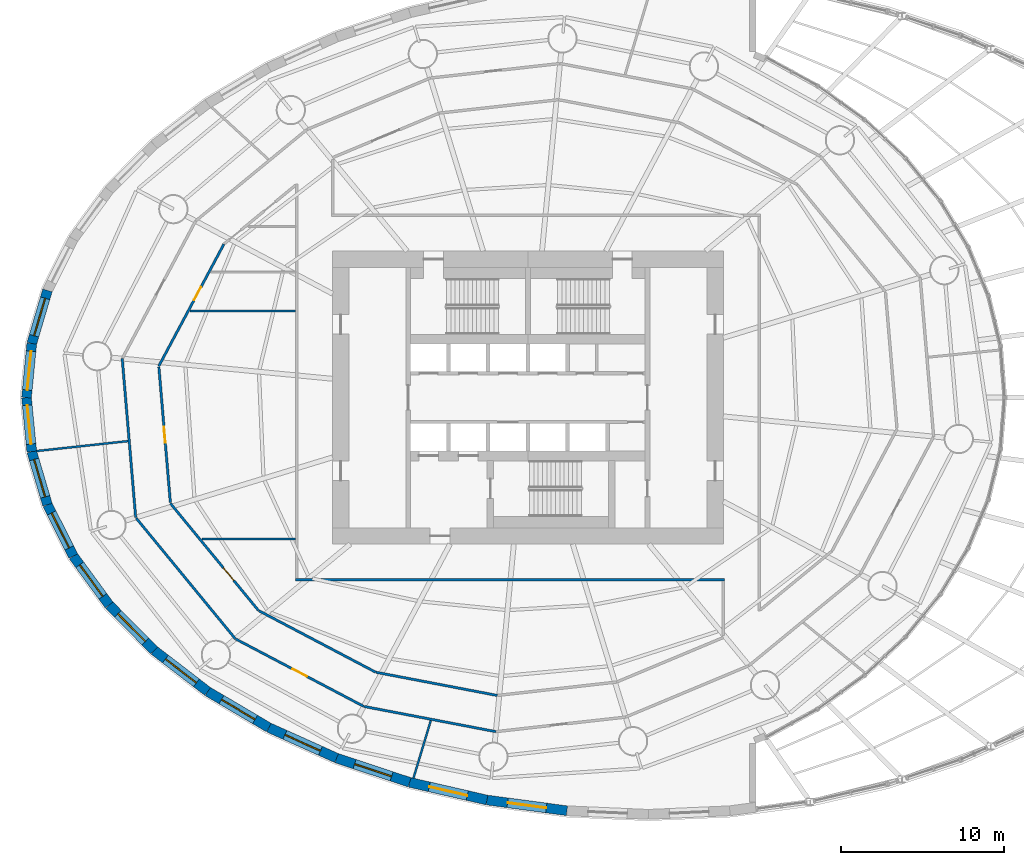
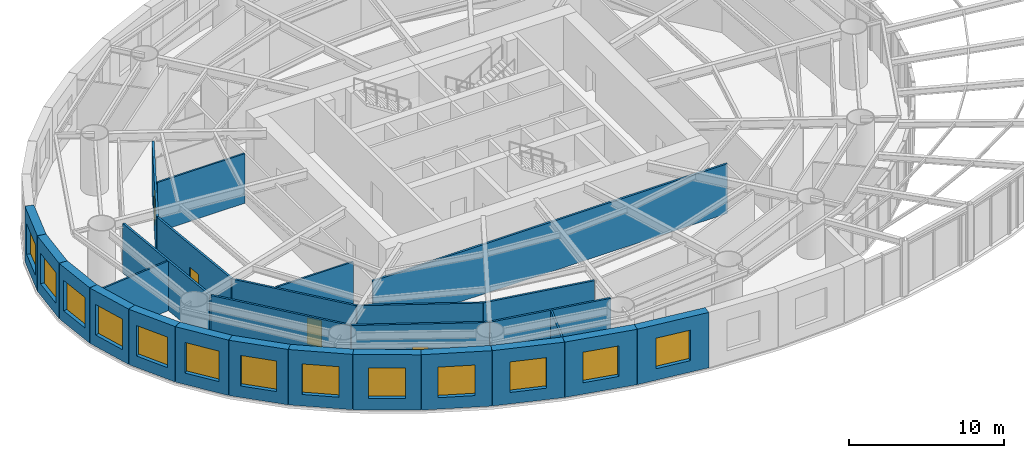
# One storey, part 18 of 23: 27 walls, 13 windows, 4 doors, 17 openings.
"""IFC4 building model written with IfcOpenShell, lengths in metres."""

from ifc_helpers import new_model, si_unit, direction, frame, frame_2d, origin, place, context, subcontext, project, spatial, rectangle, extrude, material, layer, layer_set, type_object, element, fill, save


model = new_model("IFC4")

# Units and contexts
model_context = context("Model", 3, precision=1e-05, world=origin(), true_north=direction((0.0, 1.0)))
body_context = subcontext(model_context, "Body", "Model", "MODEL_VIEW")
ifc_project = project(units=[si_unit("LENGTHUNIT", "METRE"), si_unit("AREAUNIT", "SQUARE_METRE"), si_unit("VOLUMEUNIT", "CUBIC_METRE"), si_unit("PLANEANGLEUNIT", "RADIAN"), si_unit("MASSUNIT", "GRAM", prefix="KILO")], contexts=[model_context])

# Site, building, storey
site_placement = place(None, origin())
site = spatial("IfcSite", under=ifc_project, at=site_placement, CompositionType="ELEMENT")
building_placement = place(site_placement, origin())
building = spatial("IfcBuilding", under=site, at=building_placement, Name="Vermilion Reach Broadcast Tower", CompositionType="ELEMENT")
storey_placement = place(building_placement, frame((0.0, 0.0, 31.5)))
storey = spatial("IfcBuildingStorey", under=building, at=storey_placement, Name="L04", CompositionType="ELEMENT", Elevation=31.5)

# Wall
ifc_material_1 = material(Name="Gypsum board partition")
ifc_layer_1 = layer(ifc_material_1, 0.14990234375)
ifc_layer_set_1 = layer_set([ifc_layer_1], Name="Corridor wall 150")
wall_type_1 = type_object("IfcWallType", Name="Corridor wall 150", PredefinedType="PARTITIONING", material=ifc_layer_set_1)
wall_1_placement = place(storey_placement, frame((-20.27490234375, -11.199951171875, 0.0), z_axis=(0.0, 0.0, 1.0), x_axis=(1.0, 0.0, 0.0)))
element("IfcWall", 1, at=wall_1_placement, inside=storey, type_object=wall_type_1, Name="sp.wall.L04.003", PredefinedType="PARTITIONING", context=body_context, shape_type="SweptSolid", body=[
    extrude(rectangle(XDim=26.35009765625, YDim=0.14990234375, at=frame_2d((13.175048828125, 0.0))), origin(), (0.0, 0.0, 1.0), 3.89990234375),
])

# Wall, opening, door
wall_2_placement = place(storey_placement, frame((-24.676025390625, 9.426513671875, 0.0), z_axis=(0.0, 0.0, 1.0), x_axis=(-0.470743396375, -0.882270171076, 0.0)))
wall_2 = element("IfcWall", 2, at=wall_2_placement, inside=storey, type_object=wall_type_1, Name="sp.wall.L04.017", PredefinedType="PARTITIONING", context=body_context, shape_type="SweptSolid", body=[
    extrude(rectangle(XDim=8.4931640625, YDim=0.14990234375, at=frame_2d((4.24658203125, 0.0))), origin(), (0.0, 0.0, 1.0), 3.89990234375),
])
opening_1_placement = place(wall_2_placement, frame((2.9912109375, 0.0, 0.0)))
opening_1 = element("IfcOpeningElement", 3, at=opening_1_placement, cuts=wall_2, Name="Opening D51", PredefinedType="OPENING", context=body_context, shape_type="SweptSolid", body=[
    extrude(rectangle(XDim=0.89990234375, YDim=2.10009765625, at=frame_2d((0.449951171875, 1.050048828125))), frame((0.0, 0.0849609375, 0.0), z_axis=(0.0, -1.0, 0.0), x_axis=(1.0, 0.0, 0.0)), (0.0, 0.0, 1.0), 0.169921875),
])
ifc_material_2 = material(Name="Timber and steel door set", Category="steel")
door_type_1 = type_object("IfcDoorType", Name="Door 900x2100 WC", OperationType="NOTDEFINED", PredefinedType="DOOR", material=ifc_material_2)
door_1_placement = place(opening_1_placement, origin())
door_1 = element("IfcDoor", 4, at=door_1_placement, inside=storey, type_object=door_type_1, Name="sp.door.L04.003", OperationType="SINGLE_SWING_RIGHT", OverallHeight=2.10009765625, OverallWidth=0.89990234375, PredefinedType="DOOR", context=body_context, shape_type="SweptSolid", body=[
    extrude(rectangle(XDim=0.89990234375, YDim=2.10009765625, at=frame_2d((0.449951171875, 1.050048828125))), frame((0.0, 0.02490234375, 0.0), z_axis=(0.0, -1.0, 0.0), x_axis=(1.0, 0.0, 0.0)), (0.0, 0.0, 1.0), 0.050048828125),
])
fill(opening_1, door_1)

wall_3_placement = place(storey_placement, frame((-27.96337890625, -6.450927734375, 0.0), z_axis=(0.0, 0.0, 1.0), x_axis=(-0.084487276917, 0.996424558127, 0.0)))
wall_3 = element("IfcWall", 5, at=wall_3_placement, inside=storey, type_object=wall_type_1, Name="sp.wall.L04.020", PredefinedType="PARTITIONING", context=body_context, shape_type="SweptSolid", body=[
    extrude(rectangle(XDim=8.36572265625, YDim=0.14990234375, at=frame_2d((4.182861328125, 0.0))), origin(), (0.0, 0.0, 1.0), 3.89990234375),
])
opening_2_placement = place(wall_3_placement, frame((3.682861328125, 0.0, 0.0)))
opening_2 = element("IfcOpeningElement", 6, at=opening_2_placement, cuts=wall_3, Name="Opening D50", PredefinedType="OPENING", context=body_context, shape_type="SweptSolid", body=[
    extrude(rectangle(XDim=1.0, YDim=2.10009765625, at=frame_2d((0.5, 1.050048828125))), frame((0.0, 0.0849609375, 0.0), z_axis=(0.0, -1.0, 0.0), x_axis=(1.0, 0.0, 0.0)), (0.0, 0.0, 1.0), 0.169921875),
])
ifc_material_3 = material(Name="Timber and steel door set", Category="steel")
door_type_2 = type_object("IfcDoorType", Name="Door 1000x2100", OperationType="NOTDEFINED", PredefinedType="DOOR", material=ifc_material_3)
door_2_placement = place(opening_2_placement, origin())
door_2 = element("IfcDoor", 7, at=door_2_placement, inside=storey, type_object=door_type_2, Name="sp.door.L04.004", OperationType="SINGLE_SWING_LEFT", OverallHeight=2.10009765625, OverallWidth=1.0, PredefinedType="DOOR", context=body_context, shape_type="SweptSolid", body=[
    extrude(rectangle(XDim=1.0, YDim=2.10009765625, at=frame_2d((0.5, 1.050048828125))), frame((0.0, 0.02490234375, 0.0), z_axis=(0.0, -1.0, 0.0), x_axis=(1.0, 0.0, 0.0)), (0.0, 0.0, 1.0), 0.050048828125),
])
fill(opening_2, door_2)

wall_4_placement = place(storey_placement, frame((-27.958984375, -6.50244140625, 0.0), z_axis=(0.0, 0.0, 1.0), x_axis=(0.635033534221, -0.772484569694, 0.0)))
wall_4 = element("IfcWall", 8, at=wall_4_placement, inside=storey, type_object=wall_type_1, Name="sp.wall.L04.021", PredefinedType="PARTITIONING", context=body_context, shape_type="SweptSolid", body=[
    extrude(rectangle(XDim=8.513427734375, YDim=0.14990234375, at=frame_2d((4.2568359375, 0.0))), origin(), (0.0, 0.0, 1.0), 3.89990234375),
])
opening_3_placement = place(wall_4_placement, frame((5.125732421875, 0.0, 0.0)))
opening_3 = element("IfcOpeningElement", 9, at=opening_3_placement, cuts=wall_4, Name="Opening D50", PredefinedType="OPENING", context=body_context, shape_type="SweptSolid", body=[
    extrude(rectangle(XDim=1.0, YDim=2.10009765625, at=frame_2d((0.5, 1.050048828125))), frame((0.0, 0.0849609375, 0.0), z_axis=(0.0, -1.0, 0.0), x_axis=(1.0, 0.0, 0.0)), (0.0, 0.0, 1.0), 0.169921875),
])
door_3_placement = place(opening_3_placement, origin())
door_3 = element("IfcDoor", 10, at=door_3_placement, inside=storey, type_object=door_type_2, Name="sp.door.L04.005", OperationType="SINGLE_SWING_RIGHT", OverallHeight=2.10009765625, OverallWidth=1.0, PredefinedType="DOOR", context=body_context, shape_type="SweptSolid", body=[
    extrude(rectangle(XDim=1.0, YDim=2.10009765625, at=frame_2d((0.5, 1.050048828125))), frame((0.0, 0.02490234375, 0.0), z_axis=(0.0, -1.0, 0.0), x_axis=(1.0, 0.0, 0.0)), (0.0, 0.0, 1.0), 0.050048828125),
])
fill(opening_3, door_3)

# Walls
wall_5_placement = place(storey_placement, frame((-15.3251953125, -16.875244140625, 0.0), z_axis=(0.0, 0.0, 1.0), x_axis=(0.982205706766, -0.187808278828, 0.0)))
element("IfcWall", 11, at=wall_5_placement, inside=storey, type_object=wall_type_1, Name="sp.wall.L04.022", PredefinedType="PARTITIONING", context=body_context, shape_type="SweptSolid", body=[
    extrude(rectangle(XDim=7.573486328125, YDim=0.14990234375, at=frame_2d((3.78662109375, 0.0))), origin(), (0.0, 0.0, 1.0), 3.89990234375),
])
wall_6_placement = place(storey_placement, frame((-22.52490234375, -13.093505859375, 0.0), z_axis=(0.0, 0.0, 1.0), x_axis=(0.884926057807, -0.465731545221, 0.0)))
element("IfcWall", 12, at=wall_6_placement, inside=storey, type_object=wall_type_1, Name="sp.wall.L04.023", PredefinedType="PARTITIONING", context=body_context, shape_type="SweptSolid", body=[
    extrude(rectangle(XDim=8.110595703125, YDim=0.14990234375, at=frame_2d((4.05517578125, 0.0))), origin(), (0.0, 0.0, 1.0), 3.89990234375),
])
wall_7_placement = place(storey_placement, frame((-30.921142578125, 2.395263671875, 0.0), z_axis=(0.0, 0.0, 1.0), x_axis=(0.084469905026, -0.996426030945, 0.0)))
element("IfcWall", 13, at=wall_7_placement, inside=storey, type_object=wall_type_1, Name="sp.wall.L04.039", PredefinedType="PARTITIONING", context=body_context, shape_type="SweptSolid", body=[
    extrude(rectangle(XDim=9.80078125, YDim=0.14990234375, at=frame_2d((4.900390625, 0.0))), origin(), (0.0, 0.0, 1.0), 3.89990234375),
])
wall_8_placement = place(storey_placement, frame((-30.060302734375, -7.41064453125, 0.0), z_axis=(0.0, 0.0, 1.0), x_axis=(0.63502168635, -0.772494309277, 0.0)))
element("IfcWall", 14, at=wall_8_placement, inside=storey, type_object=wall_type_1, Name="sp.wall.L04.040", PredefinedType="PARTITIONING", context=body_context, shape_type="SweptSolid", body=[
    extrude(rectangle(XDim=9.590087890625, YDim=0.14990234375, at=frame_2d((4.794921875, 0.0))), origin(), (0.0, 0.0, 1.0), 3.89990234375),
])

# Wall, opening, door
wall_9_placement = place(storey_placement, frame((-23.9423828125, -14.83349609375, 0.0), z_axis=(0.0, 0.0, 1.0), x_axis=(0.884920607371, -0.465741901326, 0.0)))
wall_9 = element("IfcWall", 15, at=wall_9_placement, inside=storey, type_object=wall_type_1, Name="sp.wall.L04.041", PredefinedType="PARTITIONING", context=body_context, shape_type="SweptSolid", body=[
    extrude(rectangle(XDim=8.882080078125, YDim=0.14990234375, at=frame_2d((4.44091796875, 0.0))), origin(), (0.0, 0.0, 1.0), 3.89990234375),
])
opening_4_placement = place(wall_9_placement, frame((3.941162109375, 0.0, 0.0)))
opening_4 = element("IfcOpeningElement", 16, at=opening_4_placement, cuts=wall_9, Name="Opening D50", PredefinedType="OPENING", context=body_context, shape_type="SweptSolid", body=[
    extrude(rectangle(XDim=1.0, YDim=2.10009765625, at=frame_2d((0.5, 1.050048828125))), frame((0.0, 0.0849609375, 0.0), z_axis=(0.0, -1.0, 0.0), x_axis=(1.0, 0.0, 0.0)), (0.0, 0.0, 1.0), 0.169921875),
])
door_4_placement = place(opening_4_placement, origin())
door_4 = element("IfcDoor", 17, at=door_4_placement, inside=storey, type_object=door_type_2, Name="sp.door.L04.009", OperationType="SINGLE_SWING_RIGHT", OverallHeight=2.10009765625, OverallWidth=1.0, PredefinedType="DOOR", context=body_context, shape_type="SweptSolid", body=[
    extrude(rectangle(XDim=1.0, YDim=2.10009765625, at=frame_2d((0.5, 1.050048828125))), frame((0.0, 0.02490234375, 0.0), z_axis=(0.0, -1.0, 0.0), x_axis=(1.0, 0.0, 0.0)), (0.0, 0.0, 1.0), 0.050048828125),
])
fill(opening_4, door_4)

# Walls
wall_10_placement = place(storey_placement, frame((-16.06005859375, -18.974609375, 0.0), z_axis=(0.0, 0.0, 1.0), x_axis=(0.982207009241, -0.187801466976, 0.0)))
element("IfcWall", 18, at=wall_10_placement, inside=storey, type_object=wall_type_1, Name="sp.wall.L04.042", PredefinedType="PARTITIONING", context=body_context, shape_type="SweptSolid", body=[
    extrude(rectangle(XDim=8.234130859375, YDim=0.14990234375, at=frame_2d((4.1171875, 0.0))), origin(), (0.0, 0.0, 1.0), 3.89990234375),
])
ifc_material_4 = material(Name="Gypsum board partition")
ifc_layer_2 = layer(ifc_material_4, 0.125)
ifc_layer_set_2 = layer_set([ifc_layer_2], Name="Partition 125 plasterboard")
wall_type_2 = type_object("IfcWallType", Name="Partition 125 plasterboard", PredefinedType="PARTITIONING", material=ifc_layer_set_2)
wall_11_placement = place(storey_placement, frame((-26.7568359375, 5.304931640625, 0.0), z_axis=(0.0, 0.0, 1.0), x_axis=(1.0, 0.0, 0.0)))
element("IfcWall", 19, at=wall_11_placement, inside=storey, type_object=wall_type_2, Name="sp.wall.L04.018", PredefinedType="PARTITIONING", context=body_context, shape_type="SweptSolid", body=[
    extrude(rectangle(XDim=6.48193359375, YDim=0.125, at=frame_2d((3.240966796875, 0.0))), origin(), (0.0, 0.0, 1.0), 3.89990234375),
])
wall_12_placement = place(storey_placement, frame((-26.008056640625, -8.695068359375, 0.0), z_axis=(0.0, 0.0, 1.0), x_axis=(1.0, 0.0, 0.0)))
element("IfcWall", 20, at=wall_12_placement, inside=storey, type_object=wall_type_2, Name="sp.wall.L04.019", PredefinedType="PARTITIONING", context=body_context, shape_type="SweptSolid", body=[
    extrude(rectangle(XDim=5.733154296875, YDim=0.125, at=frame_2d((2.86669921875, 0.0))), origin(), (0.0, 0.0, 1.0), 3.89990234375),
])
wall_13_placement = place(storey_placement, frame((-13.032470703125, -23.381103515625, 0.0), z_axis=(0.0, 0.0, 1.0), x_axis=(0.288062560414, 0.957611592081, 0.0)))
element("IfcWall", 21, at=wall_13_placement, inside=storey, type_object=wall_type_2, Name="sp.wall.L04.026", PredefinedType="PARTITIONING", context=body_context, shape_type="SweptSolid", body=[
    extrude(rectangle(XDim=3.69775390625, YDim=0.125, at=frame_2d((1.848876953125, 0.0))), origin(), (0.0, 0.0, 1.0), 3.89990234375),
])
wall_14_placement = place(storey_placement, frame((-36.175537109375, -3.2841796875, 0.0), z_axis=(0.0, 0.0, 1.0), x_axis=(0.994128278861, 0.108207971837, 0.0)))
element("IfcWall", 22, at=wall_14_placement, inside=storey, type_object=wall_type_2, Name="sp.wall.L04.037", PredefinedType="PARTITIONING", context=body_context, shape_type="SweptSolid", body=[
    extrude(rectangle(XDim=5.640625, YDim=0.125, at=frame_2d((2.8203125, 0.0))), origin(), (0.0, 0.0, 1.0), 3.89990234375),
])

# Wall, opening, window
ifc_material_5 = material(Name="Precast concrete C40/50 with acoustic cladding", Category="concrete")
ifc_layer_3 = layer(ifc_material_5, 0.60009765625)
ifc_layer_set_3 = layer_set([ifc_layer_3], Name="Podium acoustic wall 600")
wall_type_3 = type_object("IfcWallType", Name="Podium acoustic wall 600", PredefinedType="SOLIDWALL", material=ifc_layer_set_3)
wall_15_placement = place(storey_placement, frame((-35.51318359375, 6.58154296875, 0.0), z_axis=(0.0, 0.0, 1.0), x_axis=(-0.283226206308, -0.95905313516, 0.0)))
wall_15 = element("IfcWall", 23, at=wall_15_placement, inside=storey, type_object=wall_type_3, Name="Podium wall L04 str12", PredefinedType="SOLIDWALL", context=body_context, shape_type="SweptSolid", body=[
    extrude(rectangle(XDim=3.404052734375, YDim=0.60009765625, at=frame_2d((1.7021484375, 0.0))), origin(), (0.0, 0.0, 1.0), 4.35009765625),
])
opening_5_placement = place(wall_15_placement, frame((0.501953125, 0.0, 0.89990234375)))
opening_5 = element("IfcOpeningElement", 24, at=opening_5_placement, cuts=wall_15, Name="Opening W12", PredefinedType="OPENING", context=body_context, shape_type="SweptSolid", body=[
    extrude(rectangle(XDim=2.39990234375, YDim=2.39990234375, at=frame_2d((1.199951171875, 1.199951171875))), frame((0.0, 0.31005859375, 0.0), z_axis=(0.0, -1.0, 0.0), x_axis=(1.0, 0.0, 0.0)), (0.0, 0.0, 1.0), 0.6201171875),
])
ifc_material_6 = material(Name="Low-e laminated clear glass in aluminium frame", Category="aluminium")
window_type = type_object("IfcWindowType", Name="Newsroom window 2400 x 2400", PartitioningType="SINGLE_PANEL", PredefinedType="WINDOW", material=ifc_material_6)
window_1_placement = place(opening_5_placement, origin())
window_1 = element("IfcWindow", 25, at=window_1_placement, inside=storey, type_object=window_type, Name="Window L04 12", OverallHeight=2.39990234375, OverallWidth=2.39990234375, PartitioningType="SINGLE_PANEL", PredefinedType="WINDOW", context=body_context, shape_type="SweptSolid", body=[
    extrude(rectangle(XDim=2.39990234375, YDim=2.39990234375, at=frame_2d((1.199951171875, 1.199951171875))), frame((0.0, 0.030029296875, 0.0), z_axis=(0.0, -1.0, 0.0), x_axis=(1.0, 0.0, 0.0)), (0.0, 0.0, 1.0), 0.06005859375),
])
fill(opening_5, window_1)

wall_16_placement = place(storey_placement, frame((-36.477294921875, 3.31689453125, 0.0), z_axis=(0.0, 0.0, 1.0), x_axis=(-0.096848626537, -0.995299122645, 0.0)))
wall_16 = element("IfcWall", 26, at=wall_16_placement, inside=storey, type_object=wall_type_3, Name="Podium wall L04 str13", PredefinedType="SOLIDWALL", context=body_context, shape_type="SweptSolid", body=[
    extrude(rectangle(XDim=3.33251953125, YDim=0.60009765625, at=frame_2d((1.666259765625, 0.0))), origin(), (0.0, 0.0, 1.0), 4.35009765625),
])
opening_6_placement = place(wall_16_placement, frame((0.46630859375, 0.0, 0.89990234375)))
opening_6 = element("IfcOpeningElement", 27, at=opening_6_placement, cuts=wall_16, Name="Opening W12", PredefinedType="OPENING", context=body_context, shape_type="SweptSolid", body=[
    extrude(rectangle(XDim=2.39990234375, YDim=2.39990234375, at=frame_2d((1.199951171875, 1.199951171875))), frame((0.0, 0.31005859375, 0.0), z_axis=(0.0, -1.0, 0.0), x_axis=(1.0, 0.0, 0.0)), (0.0, 0.0, 1.0), 0.6201171875),
])
window_2_placement = place(opening_6_placement, origin())
window_2 = element("IfcWindow", 28, at=window_2_placement, inside=storey, type_object=window_type, Name="Window L04 13", OverallHeight=2.39990234375, OverallWidth=2.39990234375, PartitioningType="SINGLE_PANEL", PredefinedType="WINDOW", context=body_context, shape_type="SweptSolid", body=[
    extrude(rectangle(XDim=2.39990234375, YDim=2.39990234375, at=frame_2d((1.199951171875, 1.199951171875))), frame((0.0, 0.030029296875, 0.0), z_axis=(0.0, -1.0, 0.0), x_axis=(1.0, 0.0, 0.0)), (0.0, 0.0, 1.0), 0.06005859375),
])
fill(opening_6, window_2)

wall_17_placement = place(storey_placement, frame((-36.800048828125, 0.0, 0.0), z_axis=(0.0, 0.0, 1.0), x_axis=(0.096848626537, -0.995299122645, 0.0)))
wall_17 = element("IfcWall", 29, at=wall_17_placement, inside=storey, type_object=wall_type_3, Name="Podium wall L04 str14", PredefinedType="SOLIDWALL", context=body_context, shape_type="SweptSolid", body=[
    extrude(rectangle(XDim=3.33251953125, YDim=0.60009765625, at=frame_2d((1.666259765625, 0.0))), origin(), (0.0, 0.0, 1.0), 4.35009765625),
])
opening_7_placement = place(wall_17_placement, frame((0.46630859375, 0.0, 0.89990234375)))
opening_7 = element("IfcOpeningElement", 30, at=opening_7_placement, cuts=wall_17, Name="Opening W12", PredefinedType="OPENING", context=body_context, shape_type="SweptSolid", body=[
    extrude(rectangle(XDim=2.39990234375, YDim=2.39990234375, at=frame_2d((1.199951171875, 1.199951171875))), frame((0.0, 0.31005859375, 0.0), z_axis=(0.0, -1.0, 0.0), x_axis=(1.0, 0.0, 0.0)), (0.0, 0.0, 1.0), 0.6201171875),
])
window_3_placement = place(opening_7_placement, origin())
window_3 = element("IfcWindow", 31, at=window_3_placement, inside=storey, type_object=window_type, Name="Window L04 14", OverallHeight=2.39990234375, OverallWidth=2.39990234375, PartitioningType="SINGLE_PANEL", PredefinedType="WINDOW", context=body_context, shape_type="SweptSolid", body=[
    extrude(rectangle(XDim=2.39990234375, YDim=2.39990234375, at=frame_2d((1.199951171875, 1.199951171875))), frame((0.0, 0.030029296875, 0.0), z_axis=(0.0, -1.0, 0.0), x_axis=(1.0, 0.0, 0.0)), (0.0, 0.0, 1.0), 0.06005859375),
])
fill(opening_7, window_3)

wall_18_placement = place(storey_placement, frame((-36.477294921875, -3.31689453125, 0.0), z_axis=(0.0, 0.0, 1.0), x_axis=(0.283226206308, -0.95905313516, 0.0)))
wall_18 = element("IfcWall", 32, at=wall_18_placement, inside=storey, type_object=wall_type_3, Name="Podium wall L04 str15", PredefinedType="SOLIDWALL", context=body_context, shape_type="SweptSolid", body=[
    extrude(rectangle(XDim=3.404052734375, YDim=0.60009765625, at=frame_2d((1.7021484375, 0.0))), origin(), (0.0, 0.0, 1.0), 4.35009765625),
])
opening_8_placement = place(wall_18_placement, frame((0.501953125, 0.0, 0.89990234375)))
opening_8 = element("IfcOpeningElement", 33, at=opening_8_placement, cuts=wall_18, Name="Opening W12", PredefinedType="OPENING", context=body_context, shape_type="SweptSolid", body=[
    extrude(rectangle(XDim=2.39990234375, YDim=2.39990234375, at=frame_2d((1.199951171875, 1.199951171875))), frame((0.0, 0.31005859375, 0.0), z_axis=(0.0, -1.0, 0.0), x_axis=(1.0, 0.0, 0.0)), (0.0, 0.0, 1.0), 0.6201171875),
])
window_4_placement = place(opening_8_placement, origin())
window_4 = element("IfcWindow", 34, at=window_4_placement, inside=storey, type_object=window_type, Name="Window L04 15", OverallHeight=2.39990234375, OverallWidth=2.39990234375, PartitioningType="SINGLE_PANEL", PredefinedType="WINDOW", context=body_context, shape_type="SweptSolid", body=[
    extrude(rectangle(XDim=2.39990234375, YDim=2.39990234375, at=frame_2d((1.199951171875, 1.199951171875))), frame((0.0, 0.030029296875, 0.0), z_axis=(0.0, -1.0, 0.0), x_axis=(1.0, 0.0, 0.0)), (0.0, 0.0, 1.0), 0.06005859375),
])
fill(opening_8, window_4)

wall_19_placement = place(storey_placement, frame((-35.51318359375, -6.58154296875, 0.0), z_axis=(0.0, 0.0, 1.0), x_axis=(0.450137579264, -0.892959215045, 0.0)))
wall_19 = element("IfcWall", 35, at=wall_19_placement, inside=storey, type_object=wall_type_3, Name="Podium wall L04 str16", PredefinedType="SOLIDWALL", context=body_context, shape_type="SweptSolid", body=[
    extrude(rectangle(XDim=3.537353515625, YDim=0.60009765625, at=frame_2d((1.7685546875, 0.0))), origin(), (0.0, 0.0, 1.0), 4.35009765625),
])
opening_9_placement = place(wall_19_placement, frame((0.568603515625, 0.0, 0.89990234375)))
opening_9 = element("IfcOpeningElement", 36, at=opening_9_placement, cuts=wall_19, Name="Opening W12", PredefinedType="OPENING", context=body_context, shape_type="SweptSolid", body=[
    extrude(rectangle(XDim=2.39990234375, YDim=2.39990234375, at=frame_2d((1.199951171875, 1.199951171875))), frame((0.0, 0.31005859375, 0.0), z_axis=(0.0, -1.0, 0.0), x_axis=(1.0, 0.0, 0.0)), (0.0, 0.0, 1.0), 0.6201171875),
])
window_5_placement = place(opening_9_placement, origin())
window_5 = element("IfcWindow", 37, at=window_5_placement, inside=storey, type_object=window_type, Name="Window L04 16", OverallHeight=2.39990234375, OverallWidth=2.39990234375, PartitioningType="SINGLE_PANEL", PredefinedType="WINDOW", context=body_context, shape_type="SweptSolid", body=[
    extrude(rectangle(XDim=2.39990234375, YDim=2.39990234375, at=frame_2d((1.199951171875, 1.199951171875))), frame((0.0, 0.030029296875, 0.0), z_axis=(0.0, -1.0, 0.0), x_axis=(1.0, 0.0, 0.0)), (0.0, 0.0, 1.0), 0.06005859375),
])
fill(opening_9, window_5)

wall_20_placement = place(storey_placement, frame((-33.9208984375, -9.740234375, 0.0), z_axis=(0.0, 0.0, 1.0), x_axis=(0.59073426953, -0.806866174035, 0.0)))
wall_20 = element("IfcWall", 38, at=wall_20_placement, inside=storey, type_object=wall_type_3, Name="Podium wall L04 str17", PredefinedType="SOLIDWALL", context=body_context, shape_type="SweptSolid", body=[
    extrude(rectangle(XDim=3.717529296875, YDim=0.60009765625, at=frame_2d((1.85888671875, 0.0))), origin(), (0.0, 0.0, 1.0), 4.35009765625),
])
opening_10_placement = place(wall_20_placement, frame((0.65869140625, 0.0, 0.89990234375)))
opening_10 = element("IfcOpeningElement", 39, at=opening_10_placement, cuts=wall_20, Name="Opening W12", PredefinedType="OPENING", context=body_context, shape_type="SweptSolid", body=[
    extrude(rectangle(XDim=2.39990234375, YDim=2.39990234375, at=frame_2d((1.199951171875, 1.199951171875))), frame((0.0, 0.31005859375, 0.0), z_axis=(0.0, -1.0, 0.0), x_axis=(1.0, 0.0, 0.0)), (0.0, 0.0, 1.0), 0.6201171875),
])
window_6_placement = place(opening_10_placement, origin())
window_6 = element("IfcWindow", 40, at=window_6_placement, inside=storey, type_object=window_type, Name="Window L04 17", OverallHeight=2.39990234375, OverallWidth=2.39990234375, PartitioningType="SINGLE_PANEL", PredefinedType="WINDOW", context=body_context, shape_type="SweptSolid", body=[
    extrude(rectangle(XDim=2.39990234375, YDim=2.39990234375, at=frame_2d((1.199951171875, 1.199951171875))), frame((0.0, 0.030029296875, 0.0), z_axis=(0.0, -1.0, 0.0), x_axis=(1.0, 0.0, 0.0)), (0.0, 0.0, 1.0), 0.06005859375),
])
fill(opening_10, window_6)

wall_21_placement = place(storey_placement, frame((-31.724853515625, -12.73974609375, 0.0), z_axis=(0.0, 0.0, 1.0), x_axis=(0.704303183564, -0.709899306678, 0.0)))
wall_21 = element("IfcWall", 41, at=wall_21_placement, inside=storey, type_object=wall_type_3, Name="Podium wall L04 str18", PredefinedType="SOLIDWALL", context=body_context, shape_type="SweptSolid", body=[
    extrude(rectangle(XDim=3.926513671875, YDim=0.60009765625, at=frame_2d((1.96337890625, 0.0))), origin(), (0.0, 0.0, 1.0), 4.35009765625),
])
opening_11_placement = place(wall_21_placement, frame((0.76318359375, 0.0, 0.89990234375)))
opening_11 = element("IfcOpeningElement", 42, at=opening_11_placement, cuts=wall_21, Name="Opening W12", PredefinedType="OPENING", context=body_context, shape_type="SweptSolid", body=[
    extrude(rectangle(XDim=2.39990234375, YDim=2.39990234375, at=frame_2d((1.199951171875, 1.199951171875))), frame((0.0, 0.31005859375, 0.0), z_axis=(0.0, -1.0, 0.0), x_axis=(1.0, 0.0, 0.0)), (0.0, 0.0, 1.0), 0.6201171875),
])
window_7_placement = place(opening_11_placement, origin())
window_7 = element("IfcWindow", 43, at=window_7_placement, inside=storey, type_object=window_type, Name="Window L04 18", OverallHeight=2.39990234375, OverallWidth=2.39990234375, PartitioningType="SINGLE_PANEL", PredefinedType="WINDOW", context=body_context, shape_type="SweptSolid", body=[
    extrude(rectangle(XDim=2.39990234375, YDim=2.39990234375, at=frame_2d((1.199951171875, 1.199951171875))), frame((0.0, 0.030029296875, 0.0), z_axis=(0.0, -1.0, 0.0), x_axis=(1.0, 0.0, 0.0)), (0.0, 0.0, 1.0), 0.06005859375),
])
fill(opening_11, window_7)

wall_22_placement = place(storey_placement, frame((-28.95947265625, -15.527099609375, 0.0), z_axis=(0.0, 0.0, 1.0), x_axis=(0.793065901338, -0.609135843745, 0.0)))
wall_22 = element("IfcWall", 44, at=wall_22_placement, inside=storey, type_object=wall_type_3, Name="Podium wall L04 str19", PredefinedType="SOLIDWALL", context=body_context, shape_type="SweptSolid", body=[
    extrude(rectangle(XDim=4.146728515625, YDim=0.60009765625, at=frame_2d((2.0732421875, 0.0))), origin(), (0.0, 0.0, 1.0), 4.35009765625),
])
opening_12_placement = place(wall_22_placement, frame((0.873291015625, 0.0, 0.89990234375)))
opening_12 = element("IfcOpeningElement", 45, at=opening_12_placement, cuts=wall_22, Name="Opening W12", PredefinedType="OPENING", context=body_context, shape_type="SweptSolid", body=[
    extrude(rectangle(XDim=2.39990234375, YDim=2.39990234375, at=frame_2d((1.199951171875, 1.199951171875))), frame((0.0, 0.31005859375, 0.0), z_axis=(0.0, -1.0, 0.0), x_axis=(1.0, 0.0, 0.0)), (0.0, 0.0, 1.0), 0.6201171875),
])
window_8_placement = place(opening_12_placement, origin())
window_8 = element("IfcWindow", 46, at=window_8_placement, inside=storey, type_object=window_type, Name="Window L04 19", OverallHeight=2.39990234375, OverallWidth=2.39990234375, PartitioningType="SINGLE_PANEL", PredefinedType="WINDOW", context=body_context, shape_type="SweptSolid", body=[
    extrude(rectangle(XDim=2.39990234375, YDim=2.39990234375, at=frame_2d((1.199951171875, 1.199951171875))), frame((0.0, 0.030029296875, 0.0), z_axis=(0.0, -1.0, 0.0), x_axis=(1.0, 0.0, 0.0)), (0.0, 0.0, 1.0), 0.06005859375),
])
fill(opening_12, window_8)

wall_23_placement = place(storey_placement, frame((-25.6708984375, -18.052978515625, 0.0), z_axis=(0.0, 0.0, 1.0), x_axis=(0.861017868942, -0.508574703818, 0.0)))
wall_23 = element("IfcWall", 47, at=wall_23_placement, inside=storey, type_object=wall_type_3, Name="Podium wall L04 str20", PredefinedType="SOLIDWALL", context=body_context, shape_type="SweptSolid", body=[
    extrude(rectangle(XDim=4.36279296875, YDim=0.60009765625, at=frame_2d((2.181396484375, 0.0))), origin(), (0.0, 0.0, 1.0), 4.35009765625),
])
opening_13_placement = place(wall_23_placement, frame((0.9814453125, 0.0, 0.89990234375)))
opening_13 = element("IfcOpeningElement", 48, at=opening_13_placement, cuts=wall_23, Name="Opening W12", PredefinedType="OPENING", context=body_context, shape_type="SweptSolid", body=[
    extrude(rectangle(XDim=2.39990234375, YDim=2.39990234375, at=frame_2d((1.199951171875, 1.199951171875))), frame((0.0, 0.31005859375, 0.0), z_axis=(0.0, -1.0, 0.0), x_axis=(1.0, 0.0, 0.0)), (0.0, 0.0, 1.0), 0.6201171875),
])
window_9_placement = place(opening_13_placement, origin())
window_9 = element("IfcWindow", 49, at=window_9_placement, inside=storey, type_object=window_type, Name="Window L04 20", OverallHeight=2.39990234375, OverallWidth=2.39990234375, PartitioningType="SINGLE_PANEL", PredefinedType="WINDOW", context=body_context, shape_type="SweptSolid", body=[
    extrude(rectangle(XDim=2.39990234375, YDim=2.39990234375, at=frame_2d((1.199951171875, 1.199951171875))), frame((0.0, 0.030029296875, 0.0), z_axis=(0.0, -1.0, 0.0), x_axis=(1.0, 0.0, 0.0)), (0.0, 0.0, 1.0), 0.06005859375),
])
fill(opening_13, window_9)

wall_24_placement = place(storey_placement, frame((-21.91455078125, -20.271728515625, 0.0), z_axis=(0.0, 0.0, 1.0), x_axis=(0.911894462824, -0.410424766152, 0.0)))
wall_24 = element("IfcWall", 50, at=wall_24_placement, inside=storey, type_object=wall_type_3, Name="Podium wall L04 str21", PredefinedType="SOLIDWALL", context=body_context, shape_type="SweptSolid", body=[
    extrude(rectangle(XDim=4.561279296875, YDim=0.60009765625, at=frame_2d((2.28076171875, 0.0))), origin(), (0.0, 0.0, 1.0), 4.35009765625),
])
opening_14_placement = place(wall_24_placement, frame((1.08056640625, 0.0, 0.89990234375)))
opening_14 = element("IfcOpeningElement", 51, at=opening_14_placement, cuts=wall_24, Name="Opening W12", PredefinedType="OPENING", context=body_context, shape_type="SweptSolid", body=[
    extrude(rectangle(XDim=2.39990234375, YDim=2.39990234375, at=frame_2d((1.199951171875, 1.199951171875))), frame((0.0, 0.31005859375, 0.0), z_axis=(0.0, -1.0, 0.0), x_axis=(1.0, 0.0, 0.0)), (0.0, 0.0, 1.0), 0.6201171875),
])
window_10_placement = place(opening_14_placement, origin())
window_10 = element("IfcWindow", 52, at=window_10_placement, inside=storey, type_object=window_type, Name="Window L04 21", OverallHeight=2.39990234375, OverallWidth=2.39990234375, PartitioningType="SINGLE_PANEL", PredefinedType="WINDOW", context=body_context, shape_type="SweptSolid", body=[
    extrude(rectangle(XDim=2.39990234375, YDim=2.39990234375, at=frame_2d((1.199951171875, 1.199951171875))), frame((0.0, 0.030029296875, 0.0), z_axis=(0.0, -1.0, 0.0), x_axis=(1.0, 0.0, 0.0)), (0.0, 0.0, 1.0), 0.06005859375),
])
fill(opening_14, window_10)

wall_25_placement = place(storey_placement, frame((-17.755126953125, -22.143798828125, 0.0), z_axis=(0.0, 0.0, 1.0), x_axis=(0.94901810672, -0.315221561949, 0.0)))
wall_25 = element("IfcWall", 53, at=wall_25_placement, inside=storey, type_object=wall_type_3, Name="Podium wall L04 str22", PredefinedType="SOLIDWALL", context=body_context, shape_type="SweptSolid", body=[
    extrude(rectangle(XDim=4.732177734375, YDim=0.60009765625, at=frame_2d((2.3662109375, 0.0))), origin(), (0.0, 0.0, 1.0), 4.35009765625),
])
opening_15_placement = place(wall_25_placement, frame((1.166015625, 0.0, 0.89990234375)))
opening_15 = element("IfcOpeningElement", 54, at=opening_15_placement, cuts=wall_25, Name="Opening W12", PredefinedType="OPENING", context=body_context, shape_type="SweptSolid", body=[
    extrude(rectangle(XDim=2.39990234375, YDim=2.39990234375, at=frame_2d((1.199951171875, 1.199951171875))), frame((0.0, 0.31005859375, 0.0), z_axis=(0.0, -1.0, 0.0), x_axis=(1.0, 0.0, 0.0)), (0.0, 0.0, 1.0), 0.6201171875),
])
window_11_placement = place(opening_15_placement, origin())
window_11 = element("IfcWindow", 55, at=window_11_placement, inside=storey, type_object=window_type, Name="Window L04 22", OverallHeight=2.39990234375, OverallWidth=2.39990234375, PartitioningType="SINGLE_PANEL", PredefinedType="WINDOW", context=body_context, shape_type="SweptSolid", body=[
    extrude(rectangle(XDim=2.39990234375, YDim=2.39990234375, at=frame_2d((1.199951171875, 1.199951171875))), frame((0.0, 0.030029296875, 0.0), z_axis=(0.0, -1.0, 0.0), x_axis=(1.0, 0.0, 0.0)), (0.0, 0.0, 1.0), 0.06005859375),
])
fill(opening_15, window_11)

wall_26_placement = place(storey_placement, frame((-13.26416015625, -23.635498046875, 0.0), z_axis=(0.0, 0.0, 1.0), x_axis=(0.97483982486, -0.222906518224, 0.0)))
wall_26 = element("IfcWall", 56, at=wall_26_placement, inside=storey, type_object=wall_type_3, Name="Podium wall L04 str23", PredefinedType="SOLIDWALL", context=body_context, shape_type="SweptSolid", body=[
    extrude(rectangle(XDim=4.867431640625, YDim=0.60009765625, at=frame_2d((2.43359375, 0.0))), origin(), (0.0, 0.0, 1.0), 4.35009765625),
])
opening_16_placement = place(wall_26_placement, frame((1.233642578125, 0.0, 0.89990234375)))
opening_16 = element("IfcOpeningElement", 57, at=opening_16_placement, cuts=wall_26, Name="Opening W12", PredefinedType="OPENING", context=body_context, shape_type="SweptSolid", body=[
    extrude(rectangle(XDim=2.39990234375, YDim=2.39990234375, at=frame_2d((1.199951171875, 1.199951171875))), frame((0.0, 0.31005859375, 0.0), z_axis=(0.0, -1.0, 0.0), x_axis=(1.0, 0.0, 0.0)), (0.0, 0.0, 1.0), 0.6201171875),
])
window_12_placement = place(opening_16_placement, origin())
window_12 = element("IfcWindow", 58, at=window_12_placement, inside=storey, type_object=window_type, Name="Window L04 23", OverallHeight=2.39990234375, OverallWidth=2.39990234375, PartitioningType="SINGLE_PANEL", PredefinedType="WINDOW", context=body_context, shape_type="SweptSolid", body=[
    extrude(rectangle(XDim=2.39990234375, YDim=2.39990234375, at=frame_2d((1.199951171875, 1.199951171875))), frame((0.0, 0.030029296875, 0.0), z_axis=(0.0, -1.0, 0.0), x_axis=(1.0, 0.0, 0.0)), (0.0, 0.0, 1.0), 0.06005859375),
])
fill(opening_16, window_12)

wall_27_placement = place(storey_placement, frame((-8.519287109375, -24.720458984375, 0.0), z_axis=(0.0, 0.0, 1.0), x_axis=(0.991143444913, -0.132795600853, 0.0)))
wall_27 = element("IfcWall", 59, at=wall_27_placement, inside=storey, type_object=wall_type_3, Name="Podium wall L04 str24", PredefinedType="SOLIDWALL", context=body_context, shape_type="SweptSolid", body=[
    extrude(rectangle(XDim=4.960205078125, YDim=0.60009765625, at=frame_2d((2.47998046875, 0.0))), origin(), (0.0, 0.0, 1.0), 4.35009765625),
])
opening_17_placement = place(wall_27_placement, frame((1.2802734375, 0.0, 0.89990234375)))
opening_17 = element("IfcOpeningElement", 60, at=opening_17_placement, cuts=wall_27, Name="Opening W12", PredefinedType="OPENING", context=body_context, shape_type="SweptSolid", body=[
    extrude(rectangle(XDim=2.39990234375, YDim=2.39990234375, at=frame_2d((1.199951171875, 1.199951171875))), frame((0.0, 0.31005859375, 0.0), z_axis=(0.0, -1.0, 0.0), x_axis=(1.0, 0.0, 0.0)), (0.0, 0.0, 1.0), 0.6201171875),
])
window_13_placement = place(opening_17_placement, origin())
window_13 = element("IfcWindow", 61, at=window_13_placement, inside=storey, type_object=window_type, Name="Window L04 24", OverallHeight=2.39990234375, OverallWidth=2.39990234375, PartitioningType="SINGLE_PANEL", PredefinedType="WINDOW", context=body_context, shape_type="SweptSolid", body=[
    extrude(rectangle(XDim=2.39990234375, YDim=2.39990234375, at=frame_2d((1.199951171875, 1.199951171875))), frame((0.0, 0.030029296875, 0.0), z_axis=(0.0, -1.0, 0.0), x_axis=(1.0, 0.0, 0.0)), (0.0, 0.0, 1.0), 0.06005859375),
])
fill(opening_17, window_13)

save(model, "model.ifc")
